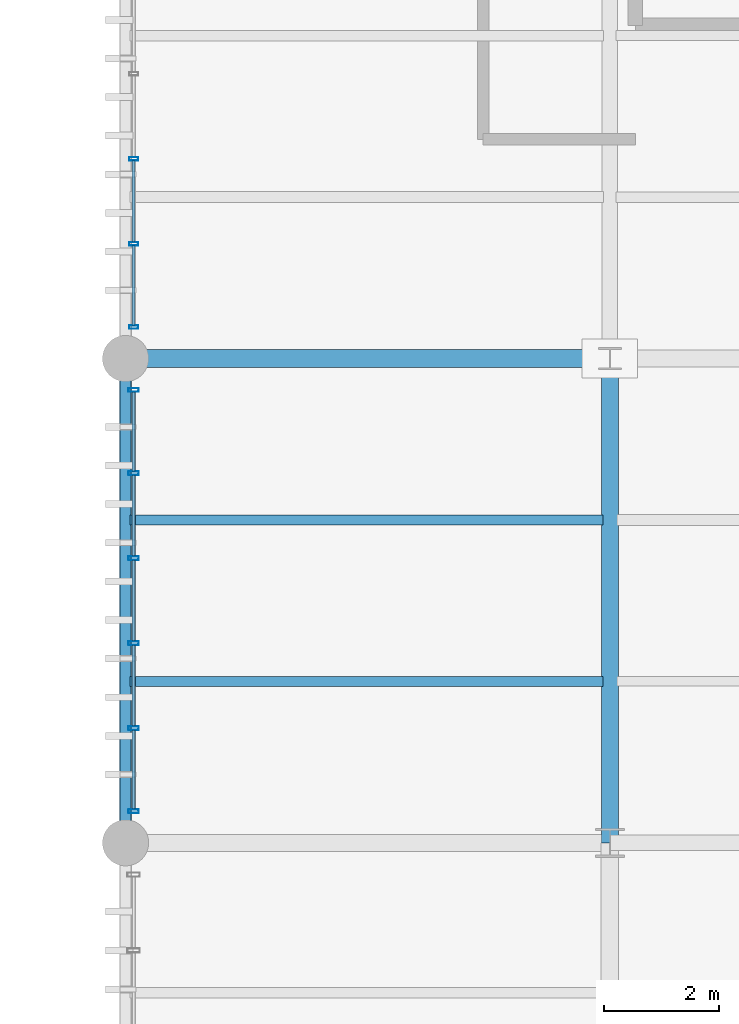
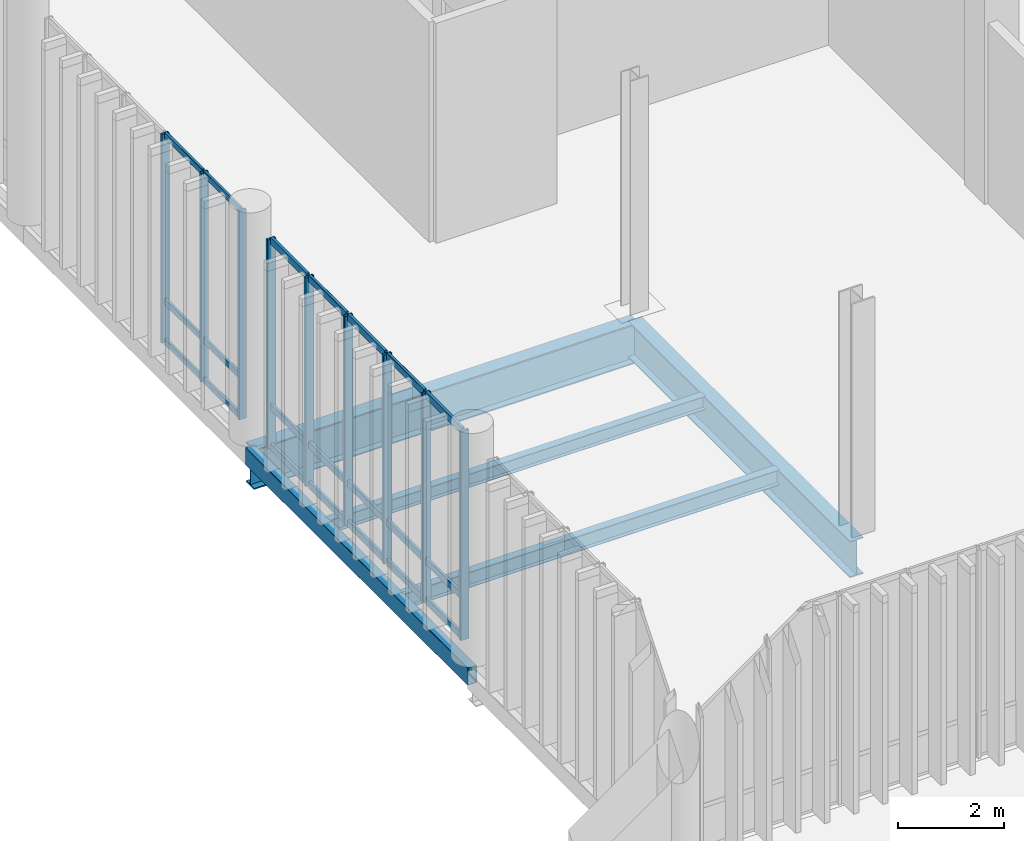
# One storey, part 62 of 112: 30 members, 5 beams, 2 elements without a shape of their own.
"""IFC4 building model written with IfcOpenShell, lengths in metres."""

from ifc_helpers import new_model, si_unit, direction, frame, origin_with_axes, origin_2d_with_axis, place, context, subcontext, project, spatial, hollow_rectangle, i_section, extrude, material, material_profile, profile_set, type_object, element, aggregate, save


model = new_model("IFC4")

# Units and contexts
model_context = context("Model", 3, precision=1e-05, world=origin_with_axes(), true_north=direction((0.0, 1.0)))
body_context = subcontext(model_context, "Body", "Model", "MODEL_VIEW")
ifc_project = project(units=[si_unit("LENGTHUNIT", "METRE"), si_unit("AREAUNIT", "SQUARE_METRE"), si_unit("VOLUMEUNIT", "CUBIC_METRE"), si_unit("PLANEANGLEUNIT", "RADIAN"), si_unit("MASSUNIT", "GRAM", prefix="KILO"), si_unit("THERMODYNAMICTEMPERATUREUNIT", "KELVIN")], contexts=[model_context])

# Site, building, storey
site_placement = place(None, origin_with_axes())
site = spatial("IfcSite", under=ifc_project, at=site_placement, CompositionType="ELEMENT")
building_placement = place(site_placement, origin_with_axes())
building = spatial("IfcBuilding", under=site, at=building_placement, Name="Montbau Bow Law Courts", CompositionType="ELEMENT")
storey_placement = place(building_placement, origin_with_axes())
storey = spatial("IfcBuildingStorey", under=building, at=storey_placement, Name="L00", CompositionType="ELEMENT", Elevation=0.0)

# Beams
ifc_material_1 = material(Name="Steel CSA G40.21 Grade 350W (350 MPa)", Category="steel")
ifc_material_profile_1 = material_profile(ifc_material_1, i_section(OverallWidth=0.306, OverallDepth=0.919, WebThickness=0.0173, FlangeThickness=0.0279, at=origin_2d_with_axis()), Name="W920X253", Category="Main", Priority=0)
ifc_profile_set_1 = profile_set([ifc_material_profile_1], Name="Steel CSA G40.21 Grade 350W (350 MPa)")
beam_type_1 = type_object("IfcBeamType", Name="B-FLR-01", PredefinedType="BEAM", material=ifc_profile_set_1)
beam_1_placement = place(None, frame((138.6, 78.0, -0.72), z_axis=(1.0, 0.0, 0.0), x_axis=(0.0, 1.0, 0.0)))
element("IfcBeam", 1, at=beam_1_placement, inside=storey, type_object=beam_type_1, Name="BM-L00-S0407:bm2_0410", PredefinedType="BEAM", context=body_context, shape_type="SweptSolid", body=[
    extrude(i_section(OverallWidth=0.306, OverallDepth=0.919, WebThickness=0.0173, FlangeThickness=0.0279, at=origin_2d_with_axis()), origin_with_axes(), (0.0, 0.0, 1.0), 8.4),
])
ifc_material_profile_2 = material_profile(ifc_material_1, i_section(OverallWidth=0.293, OverallDepth=0.846, WebThickness=0.0154, FlangeThickness=0.0244, at=origin_2d_with_axis()), Name="W840X210", Category="Main", Priority=0)
ifc_profile_set_2 = profile_set([ifc_material_profile_2], Name="Steel CSA G40.21 Grade 350W (350 MPa)")
beam_type_2 = type_object("IfcBeamType", Name="B-FLR-02", PredefinedType="BEAM", material=ifc_profile_set_2)
beam_2_placement = place(None, frame((147.0, 69.6, -0.683), z_axis=(0.0, 1.0, 0.0), x_axis=(-1.0, 0.0, 0.0)))
element("IfcBeam", 2, at=beam_2_placement, inside=storey, type_object=beam_type_2, Name="BM-L00-S0439:bm2_0442", PredefinedType="BEAM", context=body_context, shape_type="SweptSolid", body=[
    extrude(i_section(OverallWidth=0.293, OverallDepth=0.846, WebThickness=0.0154, FlangeThickness=0.0244, at=origin_2d_with_axis()), origin_with_axes(), (0.0, 0.0, 1.0), 8.4),
])
ifc_material_profile_3 = material_profile(ifc_material_1, i_section(OverallWidth=0.172, OverallDepth=0.358, WebThickness=0.0079, FlangeThickness=0.0131, at=origin_2d_with_axis()), Name="W360X57", Category="Main", Priority=0)
ifc_profile_set_3 = profile_set([ifc_material_profile_3], Name="Steel CSA G40.21 Grade 350W (350 MPa)")
beam_type_3 = type_object("IfcBeamType", Name="B-JST-03", PredefinedType="JOIST", material=ifc_profile_set_3)
beam_3_placement = place(None, frame((138.68, 72.4, -0.439), z_axis=(1.0, 0.0, 0.0), x_axis=(0.0, 1.0, 0.0)))
element("IfcBeam", 3, at=beam_3_placement, inside=storey, type_object=beam_type_3, Name="JST-L00-S0182:jst2_0182", PredefinedType="JOIST", context=body_context, shape_type="SweptSolid", body=[
    extrude(i_section(OverallWidth=0.172, OverallDepth=0.358, WebThickness=0.0079, FlangeThickness=0.0131, at=origin_2d_with_axis()), origin_with_axes(), (0.0, 0.0, 1.0), 8.197),
])
ifc_material_profile_4 = material_profile(ifc_material_1, i_section(OverallWidth=0.166, OverallDepth=0.313, WebThickness=0.0066, FlangeThickness=0.0112, at=origin_2d_with_axis()), Name="W310X45", Category="Main", Priority=0)
ifc_profile_set_4 = profile_set([ifc_material_profile_4], Name="Steel CSA G40.21 Grade 350W (350 MPa)")
beam_type_4 = type_object("IfcBeamType", Name="B-JST-04", PredefinedType="JOIST", material=ifc_profile_set_4)
beam_4_placement = place(None, frame((138.68, 75.2, -0.416), z_axis=(1.0, 0.0, 0.0), x_axis=(0.0, 1.0, 0.0)))
element("IfcBeam", 4, at=beam_4_placement, inside=storey, type_object=beam_type_4, Name="JST-L00-S0183:jst2_0183", PredefinedType="JOIST", context=body_context, shape_type="SweptSolid", body=[
    extrude(i_section(OverallWidth=0.166, OverallDepth=0.313, WebThickness=0.0066, FlangeThickness=0.0112, at=origin_2d_with_axis()), origin_with_axes(), (0.0, 0.0, 1.0), 8.197),
])
ifc_material_2 = material(Name="Steel CSA G40.21 Grade 350WT (350 MPa)", Category="steel")
ifc_material_profile_5 = material_profile(ifc_material_2, hollow_rectangle(XDim=0.203, YDim=0.406, WallThickness=0.0127, InnerFilletRadius=0.0254, OuterFilletRadius=0.0127, at=origin_2d_with_axis()), Name="HSS406X203X13", Category="Main", Priority=0)
ifc_profile_set_5 = profile_set([ifc_material_profile_5], Name="Steel CSA G40.21 Grade 350WT (350 MPa)")
beam_type_5 = type_object("IfcBeamType", Name="B-SPN-01", PredefinedType="SPANDREL", material=ifc_profile_set_5)
beam_5_placement = place(None, frame((138.6, 69.6, -0.463), z_axis=(0.0, 1.0, 0.0), x_axis=(-1.0, 0.0, 0.0)))
element("IfcBeam", 5, at=beam_5_placement, inside=storey, type_object=beam_type_5, Name="SPN-L00-S0432:bm2_0435", PredefinedType="SPANDREL", context=body_context, shape_type="SweptSolid", body=[
    extrude(hollow_rectangle(XDim=0.203, YDim=0.406, WallThickness=0.0127, InnerFilletRadius=0.0254, OuterFilletRadius=0.0127, at=origin_2d_with_axis()), origin_with_axes(), (0.0, 0.0, 1.0), 8.4),
])

# Curtain wall, members
ifc_material_3 = material(Name="Thermally Broken Extruded Aluminium AA 6063-T6", Category="aluminium")
curtain_wall_type = type_object("IfcCurtainWallType", Name="CW-SLT-01", PredefinedType="NOTDEFINED", material=ifc_material_3)
curtain_wall_1_placement = place(None, frame((138.74, 70.115, 0.0), z_axis=(0.0, 0.0, 1.0), x_axis=(1.0, 0.0, 0.0)))
curtain_wall_1 = element("IfcCurtainWall", 6, at=curtain_wall_1_placement, inside=storey, type_object=curtain_wall_type, Name="CW-L00-268:cw_0268", PredefinedType="NOTDEFINED")
ifc_material_profile_6 = material_profile(ifc_material_3, hollow_rectangle(XDim=0.065, YDim=0.18, WallThickness=0.005, InnerFilletRadius=0.01, OuterFilletRadius=0.005, at=origin_2d_with_axis()), Name="CWM-180X65", Category="Main", Priority=0)
ifc_profile_set_6 = profile_set([ifc_material_profile_6], Name="Thermally Broken Extruded Aluminium AA 6063-T6")
member_type_1 = type_object("IfcMemberType", Name="M-MUL-02", PredefinedType="MULLION", material=ifc_profile_set_6)
member_1_placement = place(None, frame((138.74, 70.148, 0.0), z_axis=(0.0, 0.0, 1.0), x_axis=(0.0, 1.0, 0.0)))
member_1 = element("IfcMember", 7, at=member_1_placement, type_object=member_type_1, Name="CW-L00-268-M01:cw_0268_M01", PredefinedType="MULLION", context=body_context, shape_type="SweptSolid", body=[
    extrude(hollow_rectangle(XDim=0.065, YDim=0.18, WallThickness=0.005, InnerFilletRadius=0.01, OuterFilletRadius=0.005, at=origin_2d_with_axis()), origin_with_axes(), (0.0, 0.0, 1.0), 4.82),
])
member_2_placement = place(None, frame((138.74, 71.589, 0.0), z_axis=(0.0, 0.0, 1.0), x_axis=(0.0, 1.0, 0.0)))
member_2 = element("IfcMember", 8, at=member_2_placement, type_object=member_type_1, Name="CW-L00-268-M02:cw_0268_M02", PredefinedType="MULLION", context=body_context, shape_type="SweptSolid", body=[
    extrude(hollow_rectangle(XDim=0.065, YDim=0.18, WallThickness=0.005, InnerFilletRadius=0.01, OuterFilletRadius=0.005, at=origin_2d_with_axis()), origin_with_axes(), (0.0, 0.0, 1.0), 4.82),
])
member_3_placement = place(None, frame((138.74, 73.063, 0.0), z_axis=(0.0, 0.0, 1.0), x_axis=(0.0, 1.0, 0.0)))
member_3 = element("IfcMember", 9, at=member_3_placement, type_object=member_type_1, Name="CW-L00-268-M03:cw_0268_M03", PredefinedType="MULLION", context=body_context, shape_type="SweptSolid", body=[
    extrude(hollow_rectangle(XDim=0.065, YDim=0.18, WallThickness=0.005, InnerFilletRadius=0.01, OuterFilletRadius=0.005, at=origin_2d_with_axis()), origin_with_axes(), (0.0, 0.0, 1.0), 4.82),
])
member_4_placement = place(None, frame((138.74, 74.537, 0.0), z_axis=(0.0, 0.0, 1.0), x_axis=(0.0, 1.0, 0.0)))
member_4 = element("IfcMember", 10, at=member_4_placement, type_object=member_type_1, Name="CW-L00-268-M04:cw_0268_M04", PredefinedType="MULLION", context=body_context, shape_type="SweptSolid", body=[
    extrude(hollow_rectangle(XDim=0.065, YDim=0.18, WallThickness=0.005, InnerFilletRadius=0.01, OuterFilletRadius=0.005, at=origin_2d_with_axis()), origin_with_axes(), (0.0, 0.0, 1.0), 4.82),
])
member_5_placement = place(None, frame((138.74, 76.011, 0.0), z_axis=(0.0, 0.0, 1.0), x_axis=(0.0, 1.0, 0.0)))
member_5 = element("IfcMember", 11, at=member_5_placement, type_object=member_type_1, Name="CW-L00-268-M05:cw_0268_M05", PredefinedType="MULLION", context=body_context, shape_type="SweptSolid", body=[
    extrude(hollow_rectangle(XDim=0.065, YDim=0.18, WallThickness=0.005, InnerFilletRadius=0.01, OuterFilletRadius=0.005, at=origin_2d_with_axis()), origin_with_axes(), (0.0, 0.0, 1.0), 4.82),
])
member_6_placement = place(None, frame((138.74, 77.453, 0.0), z_axis=(0.0, 0.0, 1.0), x_axis=(0.0, 1.0, 0.0)))
member_6 = element("IfcMember", 12, at=member_6_placement, type_object=member_type_1, Name="CW-L00-268-M06:cw_0268_M06", PredefinedType="MULLION", context=body_context, shape_type="SweptSolid", body=[
    extrude(hollow_rectangle(XDim=0.065, YDim=0.18, WallThickness=0.005, InnerFilletRadius=0.01, OuterFilletRadius=0.005, at=origin_2d_with_axis()), origin_with_axes(), (0.0, 0.0, 1.0), 4.82),
])

curtain_wall_2_placement = place(None, frame((138.74, 78.515, 0.0), z_axis=(0.0, 0.0, 1.0), x_axis=(1.0, 0.0, 0.0)))
curtain_wall_2 = element("IfcCurtainWall", 13, at=curtain_wall_2_placement, inside=storey, type_object=curtain_wall_type, Name="CW-L00-269:cw_0269", PredefinedType="NOTDEFINED")
ifc_material_profile_7 = material_profile(ifc_material_3, hollow_rectangle(XDim=0.06, YDim=0.16, WallThickness=0.004, InnerFilletRadius=0.008, OuterFilletRadius=0.004, at=origin_2d_with_axis()), Name="CWM-160X60", Category="Main", Priority=0)
ifc_profile_set_7 = profile_set([ifc_material_profile_7], Name="Thermally Broken Extruded Aluminium AA 6063-T6")
member_type_2 = type_object("IfcMemberType", Name="M-MUL-03", PredefinedType="MULLION", material=ifc_profile_set_7)
member_7_placement = place(None, frame((138.74, 78.545, 0.0), z_axis=(0.0, 0.0, 1.0), x_axis=(0.0, 1.0, 0.0)))
member_7 = element("IfcMember", 14, at=member_7_placement, type_object=member_type_2, Name="CW-L00-269-M01:cw_0269_M01", PredefinedType="MULLION", context=body_context, shape_type="SweptSolid", body=[
    extrude(hollow_rectangle(XDim=0.06, YDim=0.16, WallThickness=0.004, InnerFilletRadius=0.008, OuterFilletRadius=0.004, at=origin_2d_with_axis()), origin_with_axes(), (0.0, 0.0, 1.0), 4.82),
])
member_8_placement = place(None, frame((138.74, 79.989, 0.0), z_axis=(0.0, 0.0, 1.0), x_axis=(0.0, 1.0, 0.0)))
member_8 = element("IfcMember", 15, at=member_8_placement, type_object=member_type_2, Name="CW-L00-269-M02:cw_0269_M02", PredefinedType="MULLION", context=body_context, shape_type="SweptSolid", body=[
    extrude(hollow_rectangle(XDim=0.06, YDim=0.16, WallThickness=0.004, InnerFilletRadius=0.008, OuterFilletRadius=0.004, at=origin_2d_with_axis()), origin_with_axes(), (0.0, 0.0, 1.0), 4.82),
])
member_9_placement = place(None, frame((138.74, 81.463, 0.0), z_axis=(0.0, 0.0, 1.0), x_axis=(0.0, 1.0, 0.0)))
member_9 = element("IfcMember", 16, at=member_9_placement, type_object=member_type_2, Name="CW-L00-269-M03:cw_0269_M03", PredefinedType="MULLION", context=body_context, shape_type="SweptSolid", body=[
    extrude(hollow_rectangle(XDim=0.06, YDim=0.16, WallThickness=0.004, InnerFilletRadius=0.008, OuterFilletRadius=0.004, at=origin_2d_with_axis()), origin_with_axes(), (0.0, 0.0, 1.0), 4.82),
])

# Member
ifc_material_profile_8 = material_profile(ifc_material_3, hollow_rectangle(XDim=0.06, YDim=0.16, WallThickness=0.004, InnerFilletRadius=0.008, OuterFilletRadius=0.004, at=origin_2d_with_axis()), Name="CWT-160X60", Category="Main", Priority=0)
ifc_profile_set_8 = profile_set([ifc_material_profile_8], Name="Thermally Broken Extruded Aluminium AA 6063-T6")
member_type_3 = type_object("IfcMemberType", Name="M-TRN-01", PredefinedType="USERDEFINED", material=ifc_profile_set_8)
member_10_placement = place(None, frame((138.74, 70.183, 0.03), z_axis=(0.0, 1.0, 0.0), x_axis=(-1.0, 0.0, 0.0)))
member_10 = element("IfcMember", 17, at=member_10_placement, type_object=member_type_3, Name="CW-L00-268-T01-1:cw_0268_T01_1", ObjectType="TRANSOM", PredefinedType="USERDEFINED", context=body_context, shape_type="SweptSolid", body=[
    extrude(hollow_rectangle(XDim=0.06, YDim=0.16, WallThickness=0.004, InnerFilletRadius=0.008, OuterFilletRadius=0.004, at=origin_2d_with_axis()), origin_with_axes(), (0.0, 0.0, 1.0), 1.372),
])

member_11_placement = place(None, frame((138.74, 70.183, 0.95), z_axis=(0.0, 1.0, 0.0), x_axis=(-1.0, 0.0, 0.0)))
member_11 = element("IfcMember", 18, at=member_11_placement, type_object=member_type_3, Name="CW-L00-268-T01-2:cw_0268_T01_2", ObjectType="TRANSOM", PredefinedType="USERDEFINED", context=body_context, shape_type="SweptSolid", body=[
    extrude(hollow_rectangle(XDim=0.06, YDim=0.16, WallThickness=0.004, InnerFilletRadius=0.008, OuterFilletRadius=0.004, at=origin_2d_with_axis()), origin_with_axes(), (0.0, 0.0, 1.0), 1.372),
])

member_12_placement = place(None, frame((138.74, 70.183, 4.79), z_axis=(0.0, 1.0, 0.0), x_axis=(-1.0, 0.0, 0.0)))
member_12 = element("IfcMember", 19, at=member_12_placement, type_object=member_type_3, Name="CW-L00-268-T01-3:cw_0268_T01_3", ObjectType="TRANSOM", PredefinedType="USERDEFINED", context=body_context, shape_type="SweptSolid", body=[
    extrude(hollow_rectangle(XDim=0.06, YDim=0.16, WallThickness=0.004, InnerFilletRadius=0.008, OuterFilletRadius=0.004, at=origin_2d_with_axis()), origin_with_axes(), (0.0, 0.0, 1.0), 1.372),
])

member_13_placement = place(None, frame((138.74, 71.623, 0.03), z_axis=(0.0, 1.0, 0.0), x_axis=(-1.0, 0.0, 0.0)))
member_13 = element("IfcMember", 20, at=member_13_placement, type_object=member_type_3, Name="CW-L00-268-T02-1:cw_0268_T02_1", ObjectType="TRANSOM", PredefinedType="USERDEFINED", context=body_context, shape_type="SweptSolid", body=[
    extrude(hollow_rectangle(XDim=0.06, YDim=0.16, WallThickness=0.004, InnerFilletRadius=0.008, OuterFilletRadius=0.004, at=origin_2d_with_axis()), origin_with_axes(), (0.0, 0.0, 1.0), 1.405),
])

member_14_placement = place(None, frame((138.74, 71.623, 0.95), z_axis=(0.0, 1.0, 0.0), x_axis=(-1.0, 0.0, 0.0)))
member_14 = element("IfcMember", 21, at=member_14_placement, type_object=member_type_3, Name="CW-L00-268-T02-2:cw_0268_T02_2", ObjectType="TRANSOM", PredefinedType="USERDEFINED", context=body_context, shape_type="SweptSolid", body=[
    extrude(hollow_rectangle(XDim=0.06, YDim=0.16, WallThickness=0.004, InnerFilletRadius=0.008, OuterFilletRadius=0.004, at=origin_2d_with_axis()), origin_with_axes(), (0.0, 0.0, 1.0), 1.405),
])

member_15_placement = place(None, frame((138.74, 71.623, 4.79), z_axis=(0.0, 1.0, 0.0), x_axis=(-1.0, 0.0, 0.0)))
member_15 = element("IfcMember", 22, at=member_15_placement, type_object=member_type_3, Name="CW-L00-268-T02-3:cw_0268_T02_3", ObjectType="TRANSOM", PredefinedType="USERDEFINED", context=body_context, shape_type="SweptSolid", body=[
    extrude(hollow_rectangle(XDim=0.06, YDim=0.16, WallThickness=0.004, InnerFilletRadius=0.008, OuterFilletRadius=0.004, at=origin_2d_with_axis()), origin_with_axes(), (0.0, 0.0, 1.0), 1.405),
])

member_16_placement = place(None, frame((138.74, 73.097, 0.03), z_axis=(0.0, 1.0, 0.0), x_axis=(-1.0, 0.0, 0.0)))
member_16 = element("IfcMember", 23, at=member_16_placement, type_object=member_type_3, Name="CW-L00-268-T03-1:cw_0268_T03_1", ObjectType="TRANSOM", PredefinedType="USERDEFINED", context=body_context, shape_type="SweptSolid", body=[
    extrude(hollow_rectangle(XDim=0.06, YDim=0.16, WallThickness=0.004, InnerFilletRadius=0.008, OuterFilletRadius=0.004, at=origin_2d_with_axis()), origin_with_axes(), (0.0, 0.0, 1.0), 1.406),
])

member_17_placement = place(None, frame((138.74, 73.097, 0.95), z_axis=(0.0, 1.0, 0.0), x_axis=(-1.0, 0.0, 0.0)))
member_17 = element("IfcMember", 24, at=member_17_placement, type_object=member_type_3, Name="CW-L00-268-T03-2:cw_0268_T03_2", ObjectType="TRANSOM", PredefinedType="USERDEFINED", context=body_context, shape_type="SweptSolid", body=[
    extrude(hollow_rectangle(XDim=0.06, YDim=0.16, WallThickness=0.004, InnerFilletRadius=0.008, OuterFilletRadius=0.004, at=origin_2d_with_axis()), origin_with_axes(), (0.0, 0.0, 1.0), 1.406),
])

member_18_placement = place(None, frame((138.74, 73.097, 4.79), z_axis=(0.0, 1.0, 0.0), x_axis=(-1.0, 0.0, 0.0)))
member_18 = element("IfcMember", 25, at=member_18_placement, type_object=member_type_3, Name="CW-L00-268-T03-3:cw_0268_T03_3", ObjectType="TRANSOM", PredefinedType="USERDEFINED", context=body_context, shape_type="SweptSolid", body=[
    extrude(hollow_rectangle(XDim=0.06, YDim=0.16, WallThickness=0.004, InnerFilletRadius=0.008, OuterFilletRadius=0.004, at=origin_2d_with_axis()), origin_with_axes(), (0.0, 0.0, 1.0), 1.406),
])

member_19_placement = place(None, frame((138.74, 74.571, 0.03), z_axis=(0.0, 1.0, 0.0), x_axis=(-1.0, 0.0, 0.0)))
member_19 = element("IfcMember", 26, at=member_19_placement, type_object=member_type_3, Name="CW-L00-268-T04-1:cw_0268_T04_1", ObjectType="TRANSOM", PredefinedType="USERDEFINED", context=body_context, shape_type="SweptSolid", body=[
    extrude(hollow_rectangle(XDim=0.06, YDim=0.16, WallThickness=0.004, InnerFilletRadius=0.008, OuterFilletRadius=0.004, at=origin_2d_with_axis()), origin_with_axes(), (0.0, 0.0, 1.0), 1.406),
])

member_20_placement = place(None, frame((138.74, 74.571, 0.95), z_axis=(0.0, 1.0, 0.0), x_axis=(-1.0, 0.0, 0.0)))
member_20 = element("IfcMember", 27, at=member_20_placement, type_object=member_type_3, Name="CW-L00-268-T04-2:cw_0268_T04_2", ObjectType="TRANSOM", PredefinedType="USERDEFINED", context=body_context, shape_type="SweptSolid", body=[
    extrude(hollow_rectangle(XDim=0.06, YDim=0.16, WallThickness=0.004, InnerFilletRadius=0.008, OuterFilletRadius=0.004, at=origin_2d_with_axis()), origin_with_axes(), (0.0, 0.0, 1.0), 1.406),
])

member_21_placement = place(None, frame((138.74, 74.571, 4.79), z_axis=(0.0, 1.0, 0.0), x_axis=(-1.0, 0.0, 0.0)))
member_21 = element("IfcMember", 28, at=member_21_placement, type_object=member_type_3, Name="CW-L00-268-T04-3:cw_0268_T04_3", ObjectType="TRANSOM", PredefinedType="USERDEFINED", context=body_context, shape_type="SweptSolid", body=[
    extrude(hollow_rectangle(XDim=0.06, YDim=0.16, WallThickness=0.004, InnerFilletRadius=0.008, OuterFilletRadius=0.004, at=origin_2d_with_axis()), origin_with_axes(), (0.0, 0.0, 1.0), 1.406),
])

member_22_placement = place(None, frame((138.74, 76.045, 0.03), z_axis=(0.0, 1.0, 0.0), x_axis=(-1.0, 0.0, 0.0)))
member_22 = element("IfcMember", 29, at=member_22_placement, type_object=member_type_3, Name="CW-L00-268-T05-1:cw_0268_T05_1", ObjectType="TRANSOM", PredefinedType="USERDEFINED", context=body_context, shape_type="SweptSolid", body=[
    extrude(hollow_rectangle(XDim=0.06, YDim=0.16, WallThickness=0.004, InnerFilletRadius=0.008, OuterFilletRadius=0.004, at=origin_2d_with_axis()), origin_with_axes(), (0.0, 0.0, 1.0), 1.374),
])

member_23_placement = place(None, frame((138.74, 76.045, 0.95), z_axis=(0.0, 1.0, 0.0), x_axis=(-1.0, 0.0, 0.0)))
member_23 = element("IfcMember", 30, at=member_23_placement, type_object=member_type_3, Name="CW-L00-268-T05-2:cw_0268_T05_2", ObjectType="TRANSOM", PredefinedType="USERDEFINED", context=body_context, shape_type="SweptSolid", body=[
    extrude(hollow_rectangle(XDim=0.06, YDim=0.16, WallThickness=0.004, InnerFilletRadius=0.008, OuterFilletRadius=0.004, at=origin_2d_with_axis()), origin_with_axes(), (0.0, 0.0, 1.0), 1.374),
])

member_24_placement = place(None, frame((138.74, 76.045, 4.79), z_axis=(0.0, 1.0, 0.0), x_axis=(-1.0, 0.0, 0.0)))
member_24 = element("IfcMember", 31, at=member_24_placement, type_object=member_type_3, Name="CW-L00-268-T05-3:cw_0268_T05_3", ObjectType="TRANSOM", PredefinedType="USERDEFINED", context=body_context, shape_type="SweptSolid", body=[
    extrude(hollow_rectangle(XDim=0.06, YDim=0.16, WallThickness=0.004, InnerFilletRadius=0.008, OuterFilletRadius=0.004, at=origin_2d_with_axis()), origin_with_axes(), (0.0, 0.0, 1.0), 1.374),
])

aggregate(curtain_wall_1, [member_1, member_2, member_3, member_4, member_5, member_6, member_10, member_11, member_12, member_13, member_14, member_15, member_16, member_17, member_18, member_19, member_20, member_21, member_22, member_23, member_24])

ifc_material_profile_9 = material_profile(ifc_material_3, hollow_rectangle(XDim=0.055, YDim=0.14, WallThickness=0.004, InnerFilletRadius=0.008, OuterFilletRadius=0.004, at=origin_2d_with_axis()), Name="CWT-140X55", Category="Main", Priority=0)
ifc_profile_set_9 = profile_set([ifc_material_profile_9], Name="Thermally Broken Extruded Aluminium AA 6063-T6")
member_type_4 = type_object("IfcMemberType", Name="M-TRN-02", PredefinedType="USERDEFINED", material=ifc_profile_set_9)
member_25_placement = place(None, frame((138.74, 78.577, 0.028), z_axis=(0.0, 1.0, 0.0), x_axis=(-1.0, 0.0, 0.0)))
member_25 = element("IfcMember", 32, at=member_25_placement, type_object=member_type_4, Name="CW-L00-269-T01-1:cw_0269_T01_1", ObjectType="TRANSOM", PredefinedType="USERDEFINED", context=body_context, shape_type="SweptSolid", body=[
    extrude(hollow_rectangle(XDim=0.055, YDim=0.14, WallThickness=0.004, InnerFilletRadius=0.008, OuterFilletRadius=0.004, at=origin_2d_with_axis()), origin_with_axes(), (0.0, 0.0, 1.0), 1.38),
])

member_26_placement = place(None, frame((138.74, 78.577, 0.95), z_axis=(0.0, 1.0, 0.0), x_axis=(-1.0, 0.0, 0.0)))
member_26 = element("IfcMember", 33, at=member_26_placement, type_object=member_type_4, Name="CW-L00-269-T01-2:cw_0269_T01_2", ObjectType="TRANSOM", PredefinedType="USERDEFINED", context=body_context, shape_type="SweptSolid", body=[
    extrude(hollow_rectangle(XDim=0.055, YDim=0.14, WallThickness=0.004, InnerFilletRadius=0.008, OuterFilletRadius=0.004, at=origin_2d_with_axis()), origin_with_axes(), (0.0, 0.0, 1.0), 1.38),
])

member_27_placement = place(None, frame((138.74, 78.577, 4.793), z_axis=(0.0, 1.0, 0.0), x_axis=(-1.0, 0.0, 0.0)))
member_27 = element("IfcMember", 34, at=member_27_placement, type_object=member_type_4, Name="CW-L00-269-T01-3:cw_0269_T01_3", ObjectType="TRANSOM", PredefinedType="USERDEFINED", context=body_context, shape_type="SweptSolid", body=[
    extrude(hollow_rectangle(XDim=0.055, YDim=0.14, WallThickness=0.004, InnerFilletRadius=0.008, OuterFilletRadius=0.004, at=origin_2d_with_axis()), origin_with_axes(), (0.0, 0.0, 1.0), 1.38),
])

member_28_placement = place(None, frame((138.74, 80.021, 0.028), z_axis=(0.0, 1.0, 0.0), x_axis=(-1.0, 0.0, 0.0)))
member_28 = element("IfcMember", 35, at=member_28_placement, type_object=member_type_4, Name="CW-L00-269-T02-1:cw_0269_T02_1", ObjectType="TRANSOM", PredefinedType="USERDEFINED", context=body_context, shape_type="SweptSolid", body=[
    extrude(hollow_rectangle(XDim=0.055, YDim=0.14, WallThickness=0.004, InnerFilletRadius=0.008, OuterFilletRadius=0.004, at=origin_2d_with_axis()), origin_with_axes(), (0.0, 0.0, 1.0), 1.41),
])

member_29_placement = place(None, frame((138.74, 80.021, 0.95), z_axis=(0.0, 1.0, 0.0), x_axis=(-1.0, 0.0, 0.0)))
member_29 = element("IfcMember", 36, at=member_29_placement, type_object=member_type_4, Name="CW-L00-269-T02-2:cw_0269_T02_2", ObjectType="TRANSOM", PredefinedType="USERDEFINED", context=body_context, shape_type="SweptSolid", body=[
    extrude(hollow_rectangle(XDim=0.055, YDim=0.14, WallThickness=0.004, InnerFilletRadius=0.008, OuterFilletRadius=0.004, at=origin_2d_with_axis()), origin_with_axes(), (0.0, 0.0, 1.0), 1.41),
])

member_30_placement = place(None, frame((138.74, 80.021, 4.793), z_axis=(0.0, 1.0, 0.0), x_axis=(-1.0, 0.0, 0.0)))
member_30 = element("IfcMember", 37, at=member_30_placement, type_object=member_type_4, Name="CW-L00-269-T02-3:cw_0269_T02_3", ObjectType="TRANSOM", PredefinedType="USERDEFINED", context=body_context, shape_type="SweptSolid", body=[
    extrude(hollow_rectangle(XDim=0.055, YDim=0.14, WallThickness=0.004, InnerFilletRadius=0.008, OuterFilletRadius=0.004, at=origin_2d_with_axis()), origin_with_axes(), (0.0, 0.0, 1.0), 1.41),
])

aggregate(curtain_wall_2, [member_7, member_8, member_9, member_25, member_26, member_27, member_28, member_29, member_30])

save(model, "model.ifc")
